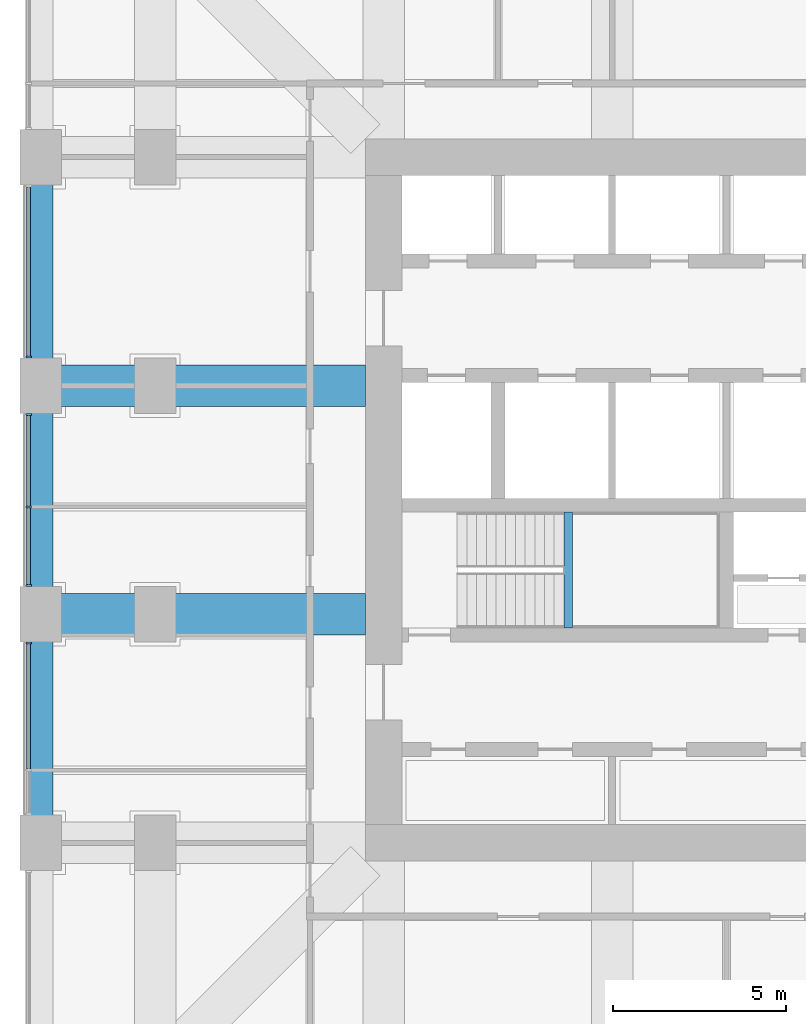
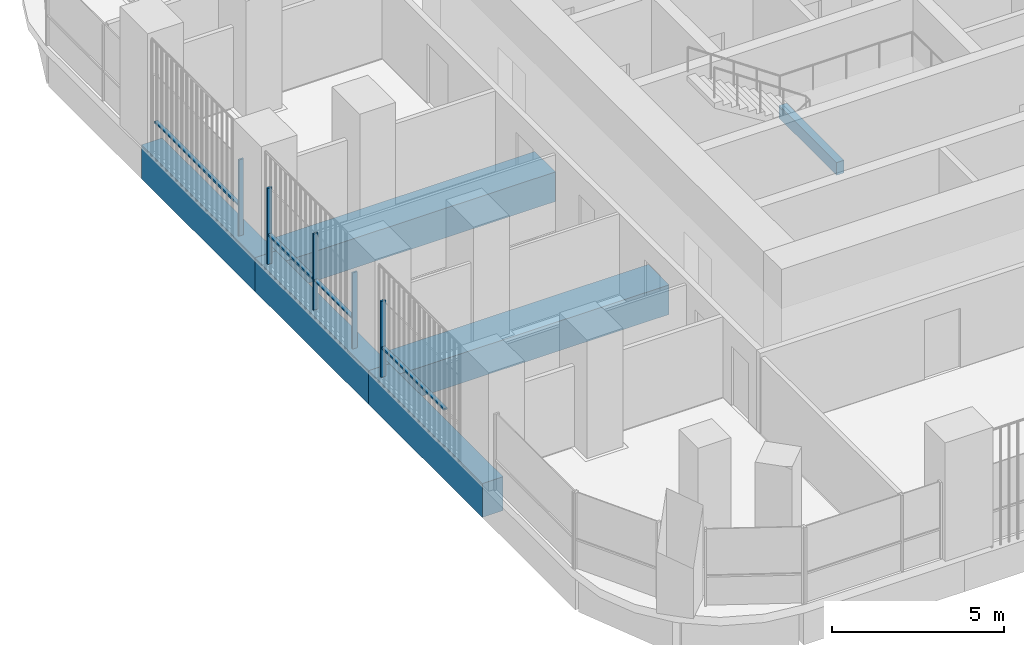
# One storey, part 4 of 19: 9 members, 6 beams, 3 elements without a shape of their own.
"""IFC4 building model written with IfcOpenShell, lengths in metres."""

from ifc_helpers import new_model, si_unit, direction, frame, origin, origin_2d, place, context, subcontext, project, spatial, rectangle, extrude, material, material_profile, profile_set, type_object, element, aggregate, save


model = new_model("IFC4")

# Units and contexts
model_context = context("Model", 3, precision=1e-05, world=origin(), true_north=direction((0.0, 1.0)))
body_context = subcontext(model_context, "Body", "Model", "MODEL_VIEW")
ifc_project = project(units=[si_unit("LENGTHUNIT", "METRE"), si_unit("AREAUNIT", "SQUARE_METRE"), si_unit("VOLUMEUNIT", "CUBIC_METRE"), si_unit("PLANEANGLEUNIT", "RADIAN"), si_unit("MASSUNIT", "GRAM", prefix="KILO")], contexts=[model_context])

# Site, building, storey
site_placement = place(None, origin())
site = spatial("IfcSite", under=ifc_project, at=site_placement, CompositionType="ELEMENT")
building_placement = place(site_placement, origin())
building = spatial("IfcBuilding", under=site, at=building_placement, Name="Cobogo Forest Laboratory Tower", CompositionType="ELEMENT")
storey_placement = place(building_placement, frame((0.0, 0.0, 197.699951171875)))
storey = spatial("IfcBuildingStorey", under=building, at=storey_placement, Name="L45", CompositionType="ELEMENT", Elevation=197.699951171875)

# Beams
ifc_material_1 = material(Name="Concrete HA-40 (C40/50)", Category="concrete")
ifc_material_profile_1 = material_profile(ifc_material_1, rectangle(XDim=0.25, YDim=0.449951171875, at=origin_2d()), Name="RC 250x450")
ifc_profile_set_1 = profile_set([ifc_material_profile_1], Name="Concrete HA-40 (C40/50)")
beam_type_1 = type_object("IfcBeamType", Name="LB1 landing beam 250x450", PredefinedType="BEAM", material=ifc_profile_set_1)
beam_1_placement = place(storey_placement, frame((18.530029296875, 19.39990234375, 1.675048828125), z_axis=(0.0, 1.0, 0.0), x_axis=(-1.0, 0.0, 0.0)))
element("IfcBeam", 1, at=beam_1_placement, inside=storey, type_object=beam_type_1, Name="Landing beam ST1 L45", PredefinedType="BEAM", context=body_context, shape_type="SweptSolid", body=[
    extrude(rectangle(XDim=0.25, YDim=0.449951171875, at=origin_2d()), origin(), (0.0, 0.0, 1.0), 3.35009765625),
])
ifc_material_profile_2 = material_profile(ifc_material_1, rectangle(XDim=1.199951171875, YDim=1.050048828125, at=origin_2d()), Name="RC 1200x1050")
ifc_profile_set_2 = profile_set([ifc_material_profile_2], Name="Concrete HA-40 (C40/50)")
beam_type_2 = type_object("IfcBeamType", Name="Laboratory floor wide beam 1200x1050", PredefinedType="BEAM", material=ifc_profile_set_2)
for number, where, z_axis, x_axis, name in (
    (2, (12.675048828125, 19.800048828125, -0.824951171875), (-1.0, 0.0, 0.0), (0.0, -1.0, 0.0), "RB1 R-D-W L45"),
    (3, (12.675048828125, 26.39990234375, -0.824951171875), (-1.0, 0.0, 0.0), (0.0, -1.0, 0.0), "RB1 R-E-W L45"),
):
    element("IfcBeam", number, at=place(storey_placement, frame(where, z_axis=z_axis, x_axis=x_axis)), inside=storey, type_object=beam_type_2, Name=name, PredefinedType="BEAM", context=body_context, shape_type="SweptSolid", body=[
        extrude(rectangle(XDim=1.199951171875, YDim=1.050048828125, at=origin_2d()), origin(), (0.0, 0.0, 1.0), 9.375),
    ])

# Curtain wall, member
ifc_material_2 = material(Name="Aluminium curtain wall", Category="aluminium")
curtain_wall_type = type_object("IfcCurtainWallType", Name="CW-2 unitised curtain wall, solar control glazing, laboratory floors zones C and D", PredefinedType="USERDEFINED", material=ifc_material_2)
curtain_wall_1_placement = place(storey_placement, origin())
curtain_wall_1 = element("IfcCurtainWall", 4, at=curtain_wall_1_placement, inside=storey, type_object=curtain_wall_type, Name="Curtain wall 25 L45", ObjectType="UNITISED CURTAIN WALL", PredefinedType="USERDEFINED")
ifc_material_3 = material(Name="Aluminium mullion", Category="aluminium")
ifc_material_profile_3 = material_profile(ifc_material_3, rectangle(XDim=0.06005859375, YDim=0.159912109375, at=origin_2d()), Name="AL 60x160")
ifc_profile_set_3 = profile_set([ifc_material_profile_3], Name="Aluminium mullion")
member_type_1 = type_object("IfcMemberType", Name="MU-1 aluminium mullion 60x160", PredefinedType="MULLION", material=ifc_profile_set_3)
member_1_placement = place(storey_placement, frame((2.949951171875, 27.22998046875, 0.0), z_axis=(0.0, 0.0, 1.0), x_axis=(0.0, -1.0, 0.0)))
member_1 = element("IfcMember", 5, at=member_1_placement, type_object=member_type_1, Name="CW-2 mullion 2", PredefinedType="MULLION", context=body_context, shape_type="SweptSolid", body=[
    extrude(rectangle(XDim=0.06005859375, YDim=0.159912109375, at=origin_2d()), origin(), (0.0, 0.0, 1.0), 2.699951171875),
])

# Curtain wall, members
curtain_wall_2_placement = place(storey_placement, origin())
curtain_wall_2 = element("IfcCurtainWall", 6, at=curtain_wall_2_placement, inside=storey, type_object=curtain_wall_type, Name="Curtain wall 26 L45", ObjectType="UNITISED CURTAIN WALL", PredefinedType="USERDEFINED")
member_2_placement = place(storey_placement, frame((2.949951171875, 25.570068359375, 0.0), z_axis=(0.0, 0.0, 1.0), x_axis=(0.0, -1.0, 0.0)))
member_2 = element("IfcMember", 7, at=member_2_placement, type_object=member_type_1, Name="CW-2 mullion 1", PredefinedType="MULLION", context=body_context, shape_type="SweptSolid", body=[
    extrude(rectangle(XDim=0.06005859375, YDim=0.159912109375, at=origin_2d()), origin(), (0.0, 0.0, 1.0), 2.699951171875),
])
member_3_placement = place(storey_placement, frame((2.949951171875, 22.89990234375, 0.0), z_axis=(0.0, 0.0, 1.0), x_axis=(0.0, -1.0, 0.0)))
member_3 = element("IfcMember", 8, at=member_3_placement, type_object=member_type_1, Name="CW-2 mullion 2", PredefinedType="MULLION", context=body_context, shape_type="SweptSolid", body=[
    extrude(rectangle(XDim=0.06005859375, YDim=0.159912109375, at=origin_2d()), origin(), (0.0, 0.0, 1.0), 2.699951171875),
])
member_4_placement = place(storey_placement, frame((2.949951171875, 20.6298828125, 0.0), z_axis=(0.0, 0.0, 1.0), x_axis=(0.0, -1.0, 0.0)))
member_4 = element("IfcMember", 9, at=member_4_placement, type_object=member_type_1, Name="CW-2 mullion 3", PredefinedType="MULLION", context=body_context, shape_type="SweptSolid", body=[
    extrude(rectangle(XDim=0.06005859375, YDim=0.159912109375, at=origin_2d()), origin(), (0.0, 0.0, 1.0), 2.699951171875),
])

# Curtain wall, member
curtain_wall_3_placement = place(storey_placement, origin())
curtain_wall_3 = element("IfcCurtainWall", 10, at=curtain_wall_3_placement, inside=storey, type_object=curtain_wall_type, Name="Curtain wall 27 L45", ObjectType="UNITISED CURTAIN WALL", PredefinedType="USERDEFINED")
member_5_placement = place(storey_placement, frame((2.949951171875, 18.969970703125, 0.0), z_axis=(0.0, 0.0, 1.0), x_axis=(0.0, -1.0, 0.0)))
member_5 = element("IfcMember", 11, at=member_5_placement, type_object=member_type_1, Name="CW-2 mullion 1", PredefinedType="MULLION", context=body_context, shape_type="SweptSolid", body=[
    extrude(rectangle(XDim=0.06005859375, YDim=0.159912109375, at=origin_2d()), origin(), (0.0, 0.0, 1.0), 2.699951171875),
])

# Beams
ifc_material_profile_4 = material_profile(ifc_material_1, rectangle(XDim=0.699951171875, YDim=1.199951171875, at=origin_2d()), Name="RC 700x1200")
ifc_profile_set_4 = profile_set([ifc_material_profile_4], Name="Concrete HA-40 (C40/50)")
beam_type_3 = type_object("IfcBeamType", Name="Perimeter edge beam 700x1200", PredefinedType="BEAM", material=ifc_profile_set_4)
beam_2_placement = place(storey_placement, frame((3.300048828125, 13.199951171875, -0.89990234375), z_axis=(0.0, 1.0, 0.0), x_axis=(-1.0, 0.0, 0.0)))
element("IfcBeam", 12, at=beam_2_placement, inside=storey, type_object=beam_type_3, Name="EB1 E-W1 L45", PredefinedType="BEAM", context=body_context, shape_type="SweptSolid", body=[
    extrude(rectangle(XDim=0.699951171875, YDim=1.199951171875, at=origin_2d()), origin(), (0.0, 0.0, 1.0), 6.60009765625),
])
beam_3_placement = place(storey_placement, frame((3.300048828125, 19.800048828125, -0.89990234375), z_axis=(0.0, 1.0, 0.0), x_axis=(-1.0, 0.0, 0.0)))
element("IfcBeam", 13, at=beam_3_placement, inside=storey, type_object=beam_type_3, Name="EB1 E-W2 L45", PredefinedType="BEAM", context=body_context, shape_type="SweptSolid", body=[
    extrude(rectangle(XDim=0.699951171875, YDim=1.199951171875, at=origin_2d()), origin(), (0.0, 0.0, 1.0), 6.599853515625),
])
beam_4_placement = place(storey_placement, frame((3.300048828125, 26.39990234375, -0.89990234375), z_axis=(0.0, 1.0, 0.0), x_axis=(-1.0, 0.0, 0.0)))
element("IfcBeam", 14, at=beam_4_placement, inside=storey, type_object=beam_type_3, Name="EB1 E-W3 L45", PredefinedType="BEAM", context=body_context, shape_type="SweptSolid", body=[
    extrude(rectangle(XDim=0.699951171875, YDim=1.199951171875, at=origin_2d()), origin(), (0.0, 0.0, 1.0), 6.60009765625),
])

# Member
ifc_material_4 = material(Name="Aluminium transom", Category="aluminium")
ifc_material_profile_5 = material_profile(ifc_material_4, rectangle(XDim=0.1201171875, YDim=0.06005859375, at=origin_2d()), Name="AL 60x120")
ifc_profile_set_5 = profile_set([ifc_material_profile_5], Name="Aluminium transom")
member_type_2 = type_object("IfcMemberType", Name="TR-1 aluminium transom 60x120", PredefinedType="USERDEFINED", material=ifc_profile_set_5)
member_6_placement = place(storey_placement, frame((2.949951171875, 32.139892578125, 1.050048828125), z_axis=(0.0, -1.0, 0.0), x_axis=(1.0, 0.0, 0.0)))
member_6 = element("IfcMember", 15, at=member_6_placement, type_object=member_type_2, Name="CW-2 transom 1.1", ObjectType="TRANSOM", PredefinedType="USERDEFINED", context=body_context, shape_type="SweptSolid", body=[
    extrude(rectangle(XDim=0.1201171875, YDim=0.06005859375, at=origin_2d()), origin(), (0.0, 0.0, 1.0), 4.8798828125),
])

aggregate(curtain_wall_1, [member_1, member_6])

member_7_placement = place(storey_placement, frame((2.949951171875, 25.5400390625, 1.050048828125), z_axis=(0.0, -1.0, 0.0), x_axis=(1.0, 0.0, 0.0)))
member_7 = element("IfcMember", 16, at=member_7_placement, type_object=member_type_2, Name="CW-2 transom 1.1", ObjectType="TRANSOM", PredefinedType="USERDEFINED", context=body_context, shape_type="SweptSolid", body=[
    extrude(rectangle(XDim=0.1201171875, YDim=0.06005859375, at=origin_2d()), origin(), (0.0, 0.0, 1.0), 2.610107421875),
])

member_8_placement = place(storey_placement, frame((2.949951171875, 22.8701171875, 1.050048828125), z_axis=(0.0, -1.0, 0.0), x_axis=(1.0, 0.0, 0.0)))
member_8 = element("IfcMember", 17, at=member_8_placement, type_object=member_type_2, Name="CW-2 transom 2.1", ObjectType="TRANSOM", PredefinedType="USERDEFINED", context=body_context, shape_type="SweptSolid", body=[
    extrude(rectangle(XDim=0.1201171875, YDim=0.06005859375, at=origin_2d()), origin(), (0.0, 0.0, 1.0), 2.210205078125),
])

aggregate(curtain_wall_2, [member_2, member_3, member_4, member_7, member_8])

member_9_placement = place(storey_placement, frame((2.949951171875, 18.93994140625, 1.050048828125), z_axis=(0.0, -1.0, 0.0), x_axis=(1.0, 0.0, 0.0)))
member_9 = element("IfcMember", 18, at=member_9_placement, type_object=member_type_2, Name="CW-2 transom 1.1", ObjectType="TRANSOM", PredefinedType="USERDEFINED", context=body_context, shape_type="SweptSolid", body=[
    extrude(rectangle(XDim=0.1201171875, YDim=0.06005859375, at=origin_2d()), origin(), (0.0, 0.0, 1.0), 3.60986328125),
])

aggregate(curtain_wall_3, [member_5, member_9])

save(model, "model.ifc")
